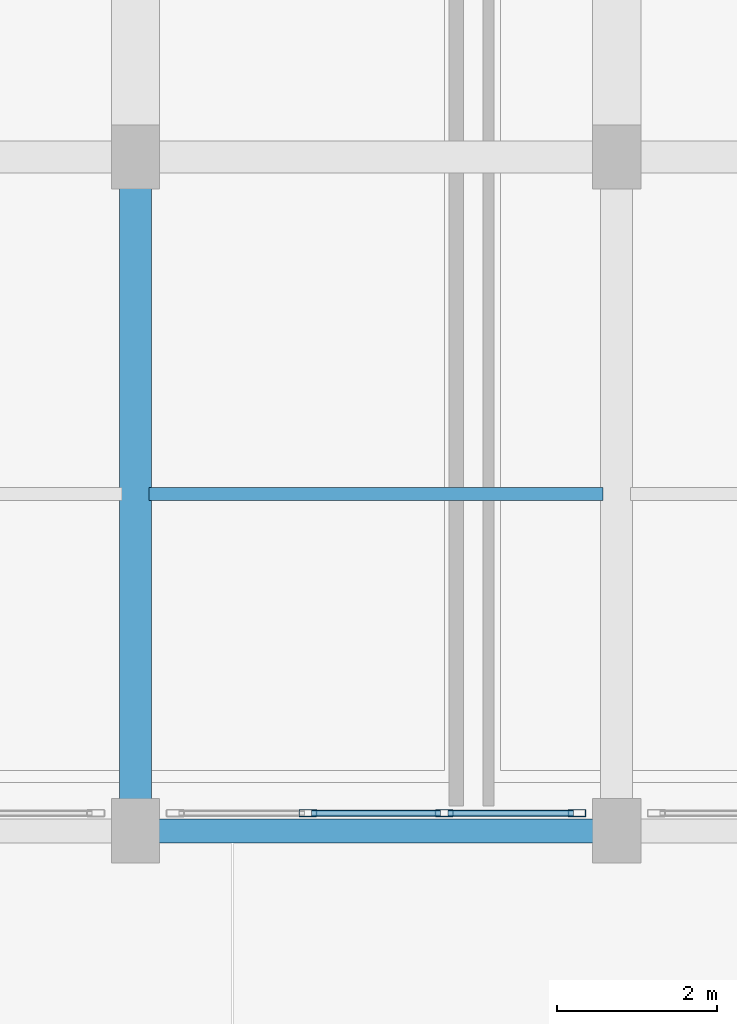
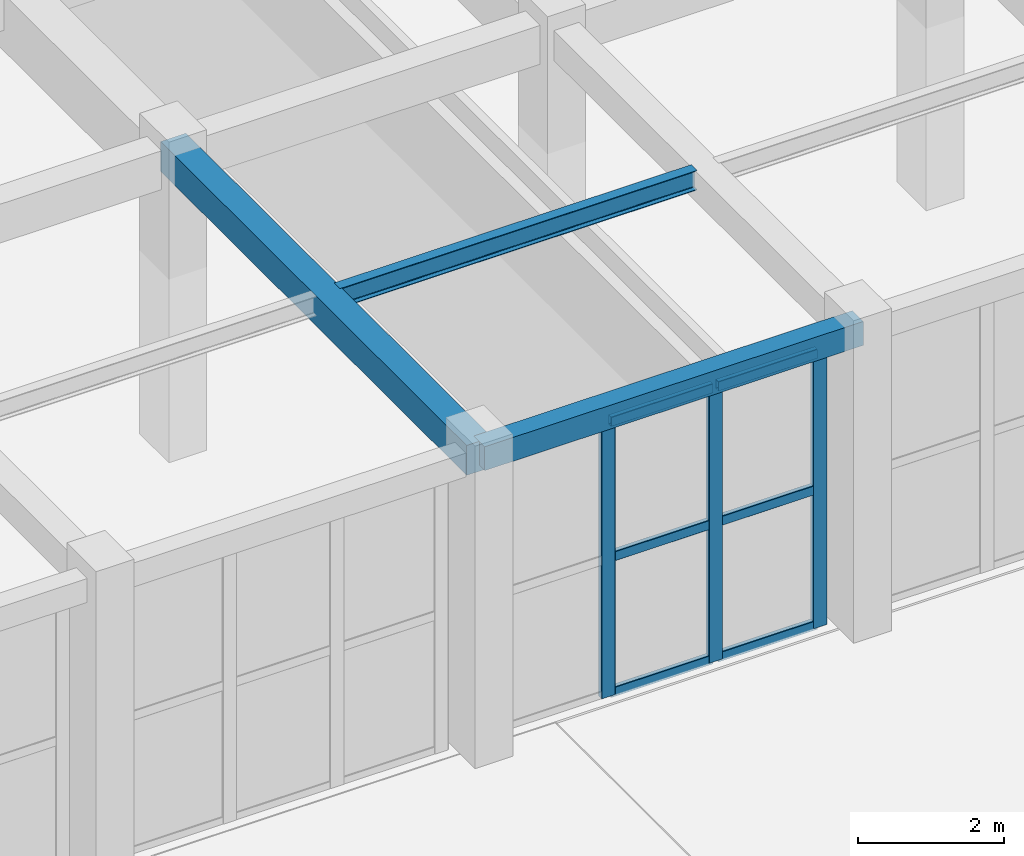
# One storey, part 47 of 98: 9 members, 3 beams, 1 element without a shape of its own.
"""IFC4 building model written with IfcOpenShell, lengths in metres."""

from ifc_helpers import new_model, si_unit, direction, frame, origin, origin_2d, place, context, subcontext, project, spatial, rectangle, hollow_rectangle, i_section, extrude, material, layer, layer_set, material_profile, profile_set, type_object, element, aggregate, save


model = new_model("IFC4")

# Units and contexts
model_context = context("Model", 3, precision=1e-05, world=origin(), true_north=direction((0.0, 1.0)))
body_context = subcontext(model_context, "Body", "Model", "MODEL_VIEW")
ifc_project = project(units=[si_unit("LENGTHUNIT", "METRE"), si_unit("AREAUNIT", "SQUARE_METRE"), si_unit("VOLUMEUNIT", "CUBIC_METRE"), si_unit("PLANEANGLEUNIT", "RADIAN"), si_unit("MASSUNIT", "GRAM", prefix="KILO")], contexts=[model_context])

# Site, building, storey
site_placement = place(None, origin())
site = spatial("IfcSite", under=ifc_project, at=site_placement, CompositionType="ELEMENT")
building_placement = place(site_placement, origin())
building = spatial("IfcBuilding", under=site, at=building_placement, Name="Tarnavel Promenade Courthouse", CompositionType="ELEMENT")
storey_placement = place(building_placement, origin())
storey = spatial("IfcBuildingStorey", under=building, at=storey_placement, Name="L01", CompositionType="ELEMENT", Elevation=0.0)

# Beams
ifc_material_1 = material(Name="Concrete C40/50", Category="concrete")
ifc_material_profile_1 = material_profile(ifc_material_1, rectangle(XDim=0.39990234375, YDim=0.5, at=origin_2d()), Name="RC 400x500")
ifc_profile_set_1 = profile_set([ifc_material_profile_1], Name="Concrete C40/50")
beam_type_1 = type_object("IfcBeamType", Name="Concrete C40/50 BM-RC-400x500 (RC 400x500)", PredefinedType="BEAM", material=ifc_profile_set_1)
beam_1_placement = place(storey_placement, frame((138.0, 28.800048828125, 4.885009765625), z_axis=(0.0, 1.0, 0.0), x_axis=(-1.0, 0.0, 0.0)))
element("IfcBeam", 1, at=beam_1_placement, inside=storey, type_object=beam_type_1, Name="L01 Transverse Girder 0853", PredefinedType="BEAM", context=body_context, shape_type="SweptSolid", body=[
    extrude(rectangle(XDim=0.39990234375, YDim=0.5, at=origin_2d()), origin(), (0.0, 0.0, 1.0), 8.39990234375),
])
ifc_material_profile_2 = material_profile(ifc_material_1, rectangle(XDim=0.300048828125, YDim=0.39990234375, at=origin_2d()), Name="RC 300x400")
ifc_profile_set_2 = profile_set([ifc_material_profile_2], Name="Concrete C40/50")
beam_type_2 = type_object("IfcBeamType", Name="Concrete C40/50 BM-SP-300x400 (RC 300x400)", PredefinedType="SPANDREL", material=ifc_profile_set_2)
beam_2_placement = place(storey_placement, frame((138.0, 28.800048828125, 4.93505859375), z_axis=(1.0, 0.0, 0.0), x_axis=(0.0, 1.0, 0.0)))
element("IfcBeam", 2, at=beam_2_placement, inside=storey, type_object=beam_type_2, Name="L01 Primary Longitudinal Beam 0594", PredefinedType="SPANDREL", context=body_context, shape_type="SweptSolid", body=[
    extrude(rectangle(XDim=0.300048828125, YDim=0.39990234375, at=origin_2d()), origin(), (0.0, 0.0, 1.0), 6.0),
])
ifc_material_2 = material(Name="Steel S355J2", Category="steel")
ifc_material_profile_3 = material_profile(ifc_material_2, i_section(OverallWidth=0.159912109375, OverallDepth=0.330078125, WebThickness=0.007568359375, FlangeThickness=0.011474609375, FilletRadius=0.01806640625, at=origin_2d()), Name="IPE 330")
ifc_profile_set_3 = profile_set([ifc_material_profile_3], Name="Steel S355J2")
beam_type_3 = type_object("IfcBeamType", Name="Steel S355J2 BM-ST-IPE330 (IPE 330)", PredefinedType="JOIST", material=ifc_profile_set_3)
beam_3_placement = place(storey_placement, frame((138.169921875, 33.0, 4.969970703125), z_axis=(1.0, 0.0, 0.0), x_axis=(0.0, 1.0, 0.0)))
element("IfcBeam", 3, at=beam_3_placement, inside=storey, type_object=beam_type_3, Name="L01 Secondary Floor Rib 0909", PredefinedType="JOIST", context=body_context, shape_type="SweptSolid", body=[
    extrude(i_section(OverallWidth=0.159912109375, OverallDepth=0.330078125, WebThickness=0.007568359375, FlangeThickness=0.011474609375, FilletRadius=0.01806640625, at=origin_2d()), origin(), (0.0, 0.0, 1.0), 5.66015625),
])

# Curtain wall, members
ifc_material_3 = material(Name="Thermally Broken Anodised Aluminium Curtain Wall System", Category="aluminium")
ifc_layer = layer(ifc_material_3, 0.199951171875)
ifc_layer_set = layer_set([ifc_layer], Name="Thermally Broken Anodised Aluminium Curtain Wall System")
curtain_wall_type = type_object("IfcCurtainWallType", Name="Thermally Broken Aluminium Triple-Glazed Curtain Wall CW-FOYER", PredefinedType="NOTDEFINED", material=ifc_layer_set)
curtain_wall_placement = place(storey_placement, origin())
curtain_wall = element("IfcCurtainWall", 4, at=curtain_wall_placement, inside=storey, type_object=curtain_wall_type, Name="L01 Ceremonial Cloister Curtain Wall 161", PredefinedType="NOTDEFINED")
ifc_material_4 = material(Name="Thermally Broken Anodised Aluminium Frame", Category="aluminium")
ifc_material_profile_4 = material_profile(ifc_material_4, hollow_rectangle(XDim=0.090087890625, YDim=0.219970703125, WallThickness=0.0048828125, InnerFilletRadius=0.0048828125, OuterFilletRadius=0.010009765625, at=origin_2d()), Name="CWM 220x90x5")
ifc_profile_set_4 = profile_set([ifc_material_profile_4], Name="Thermally Broken Anodised Aluminium Frame")
member_type_1 = type_object("IfcMemberType", Name="Thermally Broken Anodised Aluminium CWM-175 (CWM 220x90x5)", PredefinedType="MULLION", material=ifc_profile_set_4)
member_1_placement = place(storey_placement, frame((140.14990234375, 29.02001953125, 0.0), z_axis=(0.0, 0.0, 1.0), x_axis=(0.0, 1.0, 0.0)))
member_1 = element("IfcMember", 5, at=member_1_placement, type_object=member_type_1, Name="CW-04 mullion 2", PredefinedType="MULLION", context=body_context, shape_type="SweptSolid", body=[
    extrude(hollow_rectangle(XDim=0.090087890625, YDim=0.219970703125, WallThickness=0.0048828125, InnerFilletRadius=0.0048828125, OuterFilletRadius=0.010009765625, at=origin_2d()), origin(), (0.0, 0.0, 1.0), 4.6201171875),
])
member_2_placement = place(storey_placement, frame((141.85009765625, 29.02001953125, 0.0), z_axis=(0.0, 0.0, 1.0), x_axis=(0.0, 1.0, 0.0)))
member_2 = element("IfcMember", 6, at=member_2_placement, type_object=member_type_1, Name="CW-04 mullion 3", PredefinedType="MULLION", context=body_context, shape_type="SweptSolid", body=[
    extrude(hollow_rectangle(XDim=0.090087890625, YDim=0.219970703125, WallThickness=0.0048828125, InnerFilletRadius=0.0048828125, OuterFilletRadius=0.010009765625, at=origin_2d()), origin(), (0.0, 0.0, 1.0), 4.6201171875),
])
member_3_placement = place(storey_placement, frame((143.5048828125, 29.02001953125, 0.0), z_axis=(0.0, 0.0, 1.0), x_axis=(0.0, 1.0, 0.0)))
member_3 = element("IfcMember", 7, at=member_3_placement, type_object=member_type_1, Name="CW-04 mullion 4", PredefinedType="MULLION", context=body_context, shape_type="SweptSolid", body=[
    extrude(hollow_rectangle(XDim=0.090087890625, YDim=0.219970703125, WallThickness=0.0048828125, InnerFilletRadius=0.0048828125, OuterFilletRadius=0.010009765625, at=origin_2d()), origin(), (0.0, 0.0, 1.0), 4.6201171875),
])
ifc_material_profile_5 = material_profile(ifc_material_4, hollow_rectangle(XDim=0.080078125, YDim=0.159912109375, WallThickness=0.0048828125, InnerFilletRadius=0.0048828125, OuterFilletRadius=0.010009765625, at=origin_2d()), Name="CWT 160x80x5")
ifc_profile_set_5 = profile_set([ifc_material_profile_5], Name="Thermally Broken Anodised Aluminium Frame")
member_type_2 = type_object("IfcMemberType", Name="Thermally Broken Anodised Aluminium CWT-145 (CWT 160x80x5)", PredefinedType="USERDEFINED", material=ifc_profile_set_5)
member_4_placement = place(storey_placement, frame((140.195068359375, 29.02001953125, 0.0400390625), z_axis=(1.0, 0.0, 0.0), x_axis=(0.0, 1.0, 0.0)))
member_4 = element("IfcMember", 8, at=member_4_placement, type_object=member_type_2, Name="CW-04 transom 2.1", ObjectType="TRANSOM", PredefinedType="USERDEFINED", context=body_context, shape_type="SweptSolid", body=[
    extrude(hollow_rectangle(XDim=0.080078125, YDim=0.159912109375, WallThickness=0.0048828125, InnerFilletRadius=0.0048828125, OuterFilletRadius=0.010009765625, at=origin_2d()), origin(), (0.0, 0.0, 1.0), 1.60986328125),
])
member_5_placement = place(storey_placement, frame((140.195068359375, 29.02001953125, 2.31005859375), z_axis=(1.0, 0.0, 0.0), x_axis=(0.0, 1.0, 0.0)))
member_5 = element("IfcMember", 9, at=member_5_placement, type_object=member_type_2, Name="CW-04 transom 2.2", ObjectType="TRANSOM", PredefinedType="USERDEFINED", context=body_context, shape_type="SweptSolid", body=[
    extrude(hollow_rectangle(XDim=0.080078125, YDim=0.159912109375, WallThickness=0.0048828125, InnerFilletRadius=0.0048828125, OuterFilletRadius=0.010009765625, at=origin_2d()), origin(), (0.0, 0.0, 1.0), 1.60986328125),
])
member_6_placement = place(storey_placement, frame((140.195068359375, 29.02001953125, 4.580078125), z_axis=(1.0, 0.0, 0.0), x_axis=(0.0, 1.0, 0.0)))
member_6 = element("IfcMember", 10, at=member_6_placement, type_object=member_type_2, Name="CW-04 transom 2.3", ObjectType="TRANSOM", PredefinedType="USERDEFINED", context=body_context, shape_type="SweptSolid", body=[
    extrude(hollow_rectangle(XDim=0.080078125, YDim=0.159912109375, WallThickness=0.0048828125, InnerFilletRadius=0.0048828125, OuterFilletRadius=0.010009765625, at=origin_2d()), origin(), (0.0, 0.0, 1.0), 1.60986328125),
])
member_7_placement = place(storey_placement, frame((141.89501953125, 29.02001953125, 0.0400390625), z_axis=(1.0, 0.0, 0.0), x_axis=(0.0, 1.0, 0.0)))
member_7 = element("IfcMember", 11, at=member_7_placement, type_object=member_type_2, Name="CW-04 transom 3.1", ObjectType="TRANSOM", PredefinedType="USERDEFINED", context=body_context, shape_type="SweptSolid", body=[
    extrude(hollow_rectangle(XDim=0.080078125, YDim=0.159912109375, WallThickness=0.0048828125, InnerFilletRadius=0.0048828125, OuterFilletRadius=0.010009765625, at=origin_2d()), origin(), (0.0, 0.0, 1.0), 1.56494140625),
])
member_8_placement = place(storey_placement, frame((141.89501953125, 29.02001953125, 2.31005859375), z_axis=(1.0, 0.0, 0.0), x_axis=(0.0, 1.0, 0.0)))
member_8 = element("IfcMember", 12, at=member_8_placement, type_object=member_type_2, Name="CW-04 transom 3.2", ObjectType="TRANSOM", PredefinedType="USERDEFINED", context=body_context, shape_type="SweptSolid", body=[
    extrude(hollow_rectangle(XDim=0.080078125, YDim=0.159912109375, WallThickness=0.0048828125, InnerFilletRadius=0.0048828125, OuterFilletRadius=0.010009765625, at=origin_2d()), origin(), (0.0, 0.0, 1.0), 1.56494140625),
])
member_9_placement = place(storey_placement, frame((141.89501953125, 29.02001953125, 4.580078125), z_axis=(1.0, 0.0, 0.0), x_axis=(0.0, 1.0, 0.0)))
member_9 = element("IfcMember", 13, at=member_9_placement, type_object=member_type_2, Name="CW-04 transom 3.3", ObjectType="TRANSOM", PredefinedType="USERDEFINED", context=body_context, shape_type="SweptSolid", body=[
    extrude(hollow_rectangle(XDim=0.080078125, YDim=0.159912109375, WallThickness=0.0048828125, InnerFilletRadius=0.0048828125, OuterFilletRadius=0.010009765625, at=origin_2d()), origin(), (0.0, 0.0, 1.0), 1.56494140625),
])
aggregate(curtain_wall, [member_1, member_2, member_3, member_4, member_5, member_6, member_7, member_8, member_9])

save(model, "model.ifc")
